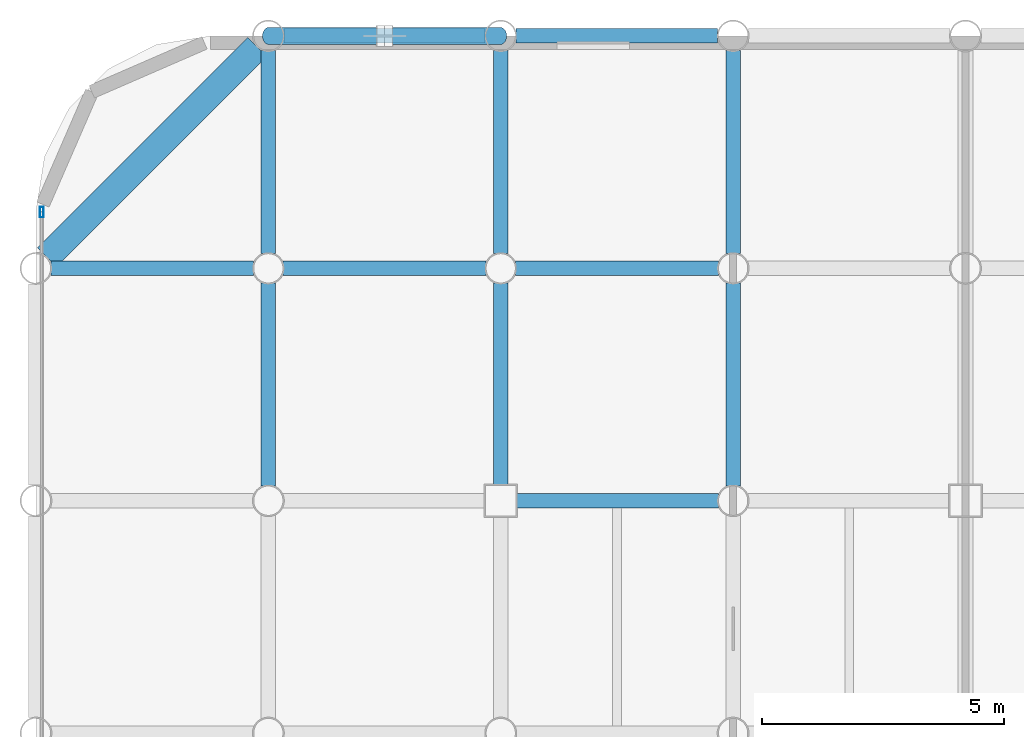
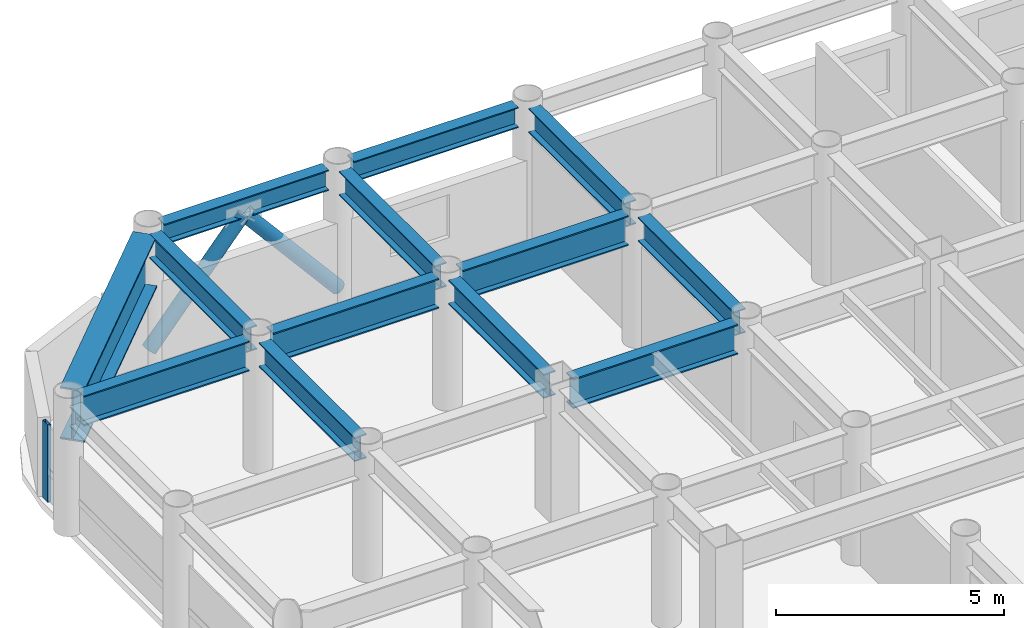
# One storey, part 10 of 20: 13 beams, 3 members, 1 element without a shape of its own.
"""IFC4 building model written with IfcOpenShell, lengths in metres."""

from ifc_helpers import new_model, si_unit, direction, frame, origin, origin_2d, place, context, subcontext, project, spatial, hollow_rectangle, hollow_circle, i_section, extrude, material, layer, layer_set, material_profile, profile_set, type_object, element, aggregate, save


model = new_model("IFC4")

# Units and contexts
model_context = context("Model", 3, precision=1e-05, world=origin(), true_north=direction((0.0, 1.0)))
body_context = subcontext(model_context, "Body", "Model", "MODEL_VIEW")
ifc_project = project(units=[si_unit("LENGTHUNIT", "METRE"), si_unit("AREAUNIT", "SQUARE_METRE"), si_unit("VOLUMEUNIT", "CUBIC_METRE"), si_unit("PLANEANGLEUNIT", "RADIAN"), si_unit("MASSUNIT", "GRAM", prefix="KILO")], contexts=[model_context])

# Site, building, storey
site_placement = place(None, origin())
site = spatial("IfcSite", under=ifc_project, at=site_placement, CompositionType="ELEMENT")
building_placement = place(site_placement, origin())
building = spatial("IfcBuilding", under=site, at=building_placement, Name="Kallvorn Hotel Tower", CompositionType="ELEMENT")
storey_placement = place(building_placement, frame((0.0, 0.0, 135.89990234375)))
storey = spatial("IfcBuildingStorey", under=building, at=storey_placement, Name="L33", CompositionType="ELEMENT", Elevation=135.89990234375)

# Beams
ifc_material_1 = material(Name="Structural steel S355JR", Category="steel")
ifc_material_profile_1 = material_profile(ifc_material_1, i_section(OverallWidth=0.300048828125, OverallDepth=0.550048828125, WebThickness=0.014892578125, FlangeThickness=0.029052734375, at=origin_2d()), Name="HE 550 B")
ifc_profile_set_1 = profile_set([ifc_material_profile_1], Name="Structural steel S355JR")
beam_type_1 = type_object("IfcBeamType", Name="BM_HE550B", PredefinedType="SPANDREL", material=ifc_profile_set_1)
for number, where, z_axis, x_axis, name in (
    (1, (-28.47998046875, 24.0, 3.2451171875), (1.0, 0.0, 0.0), (0.0, 1.0, 0.0), "L34 Perimeter Spandrel 163"),
    (2, (-23.679931640625, 24.0, 3.2451171875), (1.0, 0.0, 0.0), (0.0, 1.0, 0.0), "L34 Perimeter Spandrel 164"),
):
    element("IfcBeam", number, at=place(storey_placement, frame(where, z_axis=z_axis, x_axis=x_axis)), inside=storey, type_object=beam_type_1, Name=name, PredefinedType="SPANDREL", context=body_context, shape_type="SweptSolid", body=[
        extrude(i_section(OverallWidth=0.300048828125, OverallDepth=0.550048828125, WebThickness=0.014892578125, FlangeThickness=0.029052734375, at=origin_2d()), origin(), (0.0, 0.0, 1.0), 4.159912109375),
    ])
ifc_material_2 = material(Name="Structural steel S355JR", Category="steel")
ifc_material_profile_2 = material_profile(ifc_material_2, i_section(OverallWidth=0.300048828125, OverallDepth=0.64990234375, WebThickness=0.01611328125, FlangeThickness=0.031005859375, at=origin_2d()), Name="HE 650 B")
ifc_profile_set_2 = profile_set([ifc_material_profile_2], Name="Structural steel S355JR")
beam_type_2 = type_object("IfcBeamType", Name="BM_HE650B", PredefinedType="BEAM", material=ifc_profile_set_2)
beam_1_placement = place(storey_placement, frame((-28.800048828125, 14.705078125, 3.195068359375), z_axis=(0.0, 1.0, 0.0), x_axis=(-1.0, 0.0, 0.0)))
element("IfcBeam", 3, at=beam_1_placement, inside=storey, type_object=beam_type_2, Name="L34 Primary Y-Girder 80", PredefinedType="BEAM", context=body_context, shape_type="SweptSolid", body=[
    extrude(i_section(OverallWidth=0.300048828125, OverallDepth=0.64990234375, WebThickness=0.01611328125, FlangeThickness=0.031005859375, at=origin_2d()), origin(), (0.0, 0.0, 1.0), 4.18994140625),
])
beam_2_placement = place(storey_placement, frame((-28.800048828125, 19.5048828125, 3.195068359375), z_axis=(0.0, 1.0, 0.0), x_axis=(-1.0, 0.0, 0.0)))
element("IfcBeam", 4, at=beam_2_placement, inside=storey, type_object=beam_type_2, Name="L34 Primary Y-Girder 81", PredefinedType="BEAM", context=body_context, shape_type="SweptSolid", body=[
    extrude(i_section(OverallWidth=0.300048828125, OverallDepth=0.64990234375, WebThickness=0.01611328125, FlangeThickness=0.031005859375, at=origin_2d()), origin(), (0.0, 0.0, 1.0), 4.190185546875),
])
beam_3_placement = place(storey_placement, frame((-24.0, 14.72509765625, 3.195068359375), z_axis=(0.0, 1.0, 0.0), x_axis=(-1.0, 0.0, 0.0)))
element("IfcBeam", 5, at=beam_3_placement, inside=storey, type_object=beam_type_2, Name="L34 Primary Y-Girder 87", PredefinedType="BEAM", context=body_context, shape_type="SweptSolid", body=[
    extrude(i_section(OverallWidth=0.300048828125, OverallDepth=0.64990234375, WebThickness=0.01611328125, FlangeThickness=0.031005859375, at=origin_2d()), origin(), (0.0, 0.0, 1.0), 4.169921875),
])
beam_4_placement = place(storey_placement, frame((-24.0, 19.5048828125, 3.195068359375), z_axis=(0.0, 1.0, 0.0), x_axis=(-1.0, 0.0, 0.0)))
element("IfcBeam", 6, at=beam_4_placement, inside=storey, type_object=beam_type_2, Name="L34 Primary Y-Girder 88", PredefinedType="BEAM", context=body_context, shape_type="SweptSolid", body=[
    extrude(i_section(OverallWidth=0.300048828125, OverallDepth=0.64990234375, WebThickness=0.01611328125, FlangeThickness=0.031005859375, at=origin_2d()), origin(), (0.0, 0.0, 1.0), 4.190185546875),
])
beam_5_placement = place(storey_placement, frame((-19.199951171875, 14.705078125, 3.195068359375), z_axis=(0.0, 1.0, 0.0), x_axis=(-1.0, 0.0, 0.0)))
element("IfcBeam", 7, at=beam_5_placement, inside=storey, type_object=beam_type_2, Name="L34 Primary Y-Girder 96", PredefinedType="BEAM", context=body_context, shape_type="SweptSolid", body=[
    extrude(i_section(OverallWidth=0.300048828125, OverallDepth=0.64990234375, WebThickness=0.01611328125, FlangeThickness=0.031005859375, at=origin_2d()), origin(), (0.0, 0.0, 1.0), 4.18994140625),
])
beam_6_placement = place(storey_placement, frame((-19.199951171875, 19.5048828125, 3.195068359375), z_axis=(0.0, 1.0, 0.0), x_axis=(-1.0, 0.0, 0.0)))
element("IfcBeam", 8, at=beam_6_placement, inside=storey, type_object=beam_type_2, Name="L34 Primary Y-Girder 97", PredefinedType="BEAM", context=body_context, shape_type="SweptSolid", body=[
    extrude(i_section(OverallWidth=0.300048828125, OverallDepth=0.64990234375, WebThickness=0.01611328125, FlangeThickness=0.031005859375, at=origin_2d()), origin(), (0.0, 0.0, 1.0), 4.190185546875),
])
ifc_material_3 = material(Name="Structural steel S355JR", Category="steel")
ifc_material_profile_3 = material_profile(ifc_material_3, i_section(OverallWidth=0.300048828125, OverallDepth=0.800048828125, WebThickness=0.017578125, FlangeThickness=0.032958984375, at=origin_2d()), Name="HE 800 B")
ifc_profile_set_3 = profile_set([ifc_material_profile_3], Name="Structural steel S355JR")
beam_type_3 = type_object("IfcBeamType", Name="BM_HE800B", PredefinedType="BEAM", material=ifc_profile_set_3)
beam_7_placement = place(storey_placement, frame((-23.675048828125, 14.39990234375, 3.1201171875), z_axis=(1.0, 0.0, 0.0), x_axis=(0.0, 1.0, 0.0)))
element("IfcBeam", 9, at=beam_7_placement, inside=storey, type_object=beam_type_3, Name="L34 Primary X-Girder 52", PredefinedType="BEAM", context=body_context, shape_type="SweptSolid", body=[
    extrude(i_section(OverallWidth=0.300048828125, OverallDepth=0.800048828125, WebThickness=0.017578125, FlangeThickness=0.032958984375, at=origin_2d()), origin(), (0.0, 0.0, 1.0), 4.170166015625),
])
beam_8_placement = place(storey_placement, frame((-33.294921875, 19.199951171875, 3.1201171875), z_axis=(1.0, 0.0, 0.0), x_axis=(0.0, 1.0, 0.0)))
element("IfcBeam", 10, at=beam_8_placement, inside=storey, type_object=beam_type_3, Name="L34 Primary X-Girder 60", PredefinedType="BEAM", context=body_context, shape_type="SweptSolid", body=[
    extrude(i_section(OverallWidth=0.300048828125, OverallDepth=0.800048828125, WebThickness=0.017578125, FlangeThickness=0.032958984375, at=origin_2d()), origin(), (0.0, 0.0, 1.0), 4.18994140625),
])
for number, where, z_axis, x_axis, name in (
    (11, (-28.4951171875, 19.199951171875, 3.1201171875), (1.0, 0.0, 0.0), (0.0, 1.0, 0.0), "L34 Primary X-Girder 61"),
    (12, (-23.695068359375, 19.199951171875, 3.1201171875), (1.0, 0.0, 0.0), (0.0, 1.0, 0.0), "L34 Primary X-Girder 62"),
):
    element("IfcBeam", number, at=place(storey_placement, frame(where, z_axis=z_axis, x_axis=x_axis)), inside=storey, type_object=beam_type_3, Name=name, PredefinedType="BEAM", context=body_context, shape_type="SweptSolid", body=[
        extrude(i_section(OverallWidth=0.300048828125, OverallDepth=0.800048828125, WebThickness=0.017578125, FlangeThickness=0.032958984375, at=origin_2d()), origin(), (0.0, 0.0, 1.0), 4.190185546875),
    ])
ifc_material_4 = material(Name="Structural steel S355JR", Category="steel")
ifc_material_profile_4 = material_profile(ifc_material_4, i_section(OverallWidth=0.550048828125, OverallDepth=1.39990234375, WebThickness=0.02490234375, FlangeThickness=0.044921875, at=origin_2d()), Name="PG 1400x550x25x45")
ifc_profile_set_4 = profile_set([ifc_material_profile_4], Name="Structural steel S355JR")
beam_type_4 = type_object("IfcBeamType", Name="BM_PG_1400", PredefinedType="BEAM", material=ifc_profile_set_4)
beam_9_placement = place(storey_placement, frame((-33.373779296875, 19.42626953125, 2.820068359375), z_axis=(0.707106781187, 0.707106781187, 0.0), x_axis=(-0.707106781187, 0.707106781187, 0.0)))
element("IfcBeam", 13, at=beam_9_placement, inside=storey, type_object=beam_type_4, Name="L34 Rounded Corner Tie Beam 190", PredefinedType="BEAM", context=body_context, shape_type="SweptSolid", body=[
    extrude(i_section(OverallWidth=0.550048828125, OverallDepth=1.39990234375, WebThickness=0.02490234375, FlangeThickness=0.044921875, at=origin_2d()), origin(), (0.0, 0.0, 1.0), 6.148193359375),
])

# Curtain wall, member
ifc_material_5 = material(Name="Thermally broken black-anodised aluminium AA 6063-T6", Category="aluminium")
ifc_layer = layer(ifc_material_5, 0.2099609375)
ifc_layer_set = layer_set([ifc_layer], Name="CW_SYS_4_HOTEL_MID")
curtain_wall_type = type_object("IfcCurtainWallType", Name="CW_SYS_4_HOTEL_MID", PredefinedType="USERDEFINED", material=ifc_layer_set)
curtain_wall_placement = place(storey_placement, origin())
curtain_wall = element("IfcCurtainWall", 14, at=curtain_wall_placement, inside=storey, type_object=curtain_wall_type, Name="L33 Dark-Glass Curtain Wall CW-L33-WN", ObjectType="UNITISED CURTAIN WALL", PredefinedType="USERDEFINED")
ifc_material_6 = material(Name="Thermally broken black-anodised aluminium AA 6063-T6", Category="aluminium")
ifc_material_profile_5 = material_profile(ifc_material_6, hollow_rectangle(XDim=0.080078125, YDim=0.219970703125, WallThickness=0.0048828125, at=origin_2d()), Name="MUL 220x80")
ifc_profile_set_5 = profile_set([ifc_material_profile_5], Name="Thermally broken black-anodised aluminium AA 6063-T6")
member_type_1 = type_object("IfcMemberType", Name="CW_MULLION_220x80", PredefinedType="MULLION", material=ifc_profile_set_5)
member_placement = place(storey_placement, frame((-33.47998046875, 20.360107421875, 0.02001953125), z_axis=(0.0, 0.0, 1.0), x_axis=(1.0, 0.0, 0.0)))
member = element("IfcMember", 15, at=member_placement, type_object=member_type_1, Name="CW-L33-WN Mullion 01", PredefinedType="MULLION", context=body_context, shape_type="SweptSolid", body=[
    extrude(hollow_rectangle(XDim=0.080078125, YDim=0.219970703125, WallThickness=0.0048828125, at=origin_2d()), origin(), (0.0, 0.0, 1.0), 2.080078125),
])
aggregate(curtain_wall, [member])

# Members
ifc_material_7 = material(Name="Structural steel S355J2H", Category="steel")
ifc_material_profile_6 = material_profile(ifc_material_7, hollow_circle(Radius=0.177734375, WallThickness=0.01416015625, at=origin_2d()), Name="CHS 355.6x14.2")
ifc_profile_set_6 = profile_set([ifc_material_profile_6], Name="Structural steel S355J2H")
member_type_2 = type_object("IfcMemberType", Name="MBR_EXO_CHS355", PredefinedType="BRACE", material=ifc_profile_set_6)
for number, where, z_axis, x_axis, name in (
    (16, (-28.787109375, 24.0, 0.1953125), (0.646800487591, 0.0, 0.762659248453), (0.0, 1.0, 0.0), "L33 Exoskeleton K-Brace N1A"),
    (17, (-24.012939453125, 24.0, 0.1953125), (-0.646800487591, 0.0, 0.762659248453), (0.0, -1.0, 0.0), "L33 Exoskeleton K-Brace N1B"),
):
    element("IfcMember", number, at=place(storey_placement, frame(where, z_axis=z_axis, x_axis=x_axis)), inside=storey, type_object=member_type_2, Name=name, PredefinedType="BRACE", context=body_context, shape_type="SweptSolid", body=[
        extrude(hollow_circle(Radius=0.177734375, WallThickness=0.01416015625, at=origin_2d()), origin(), (0.0, 0.0, 1.0), 3.6708984375),
    ])

save(model, "model.ifc")
